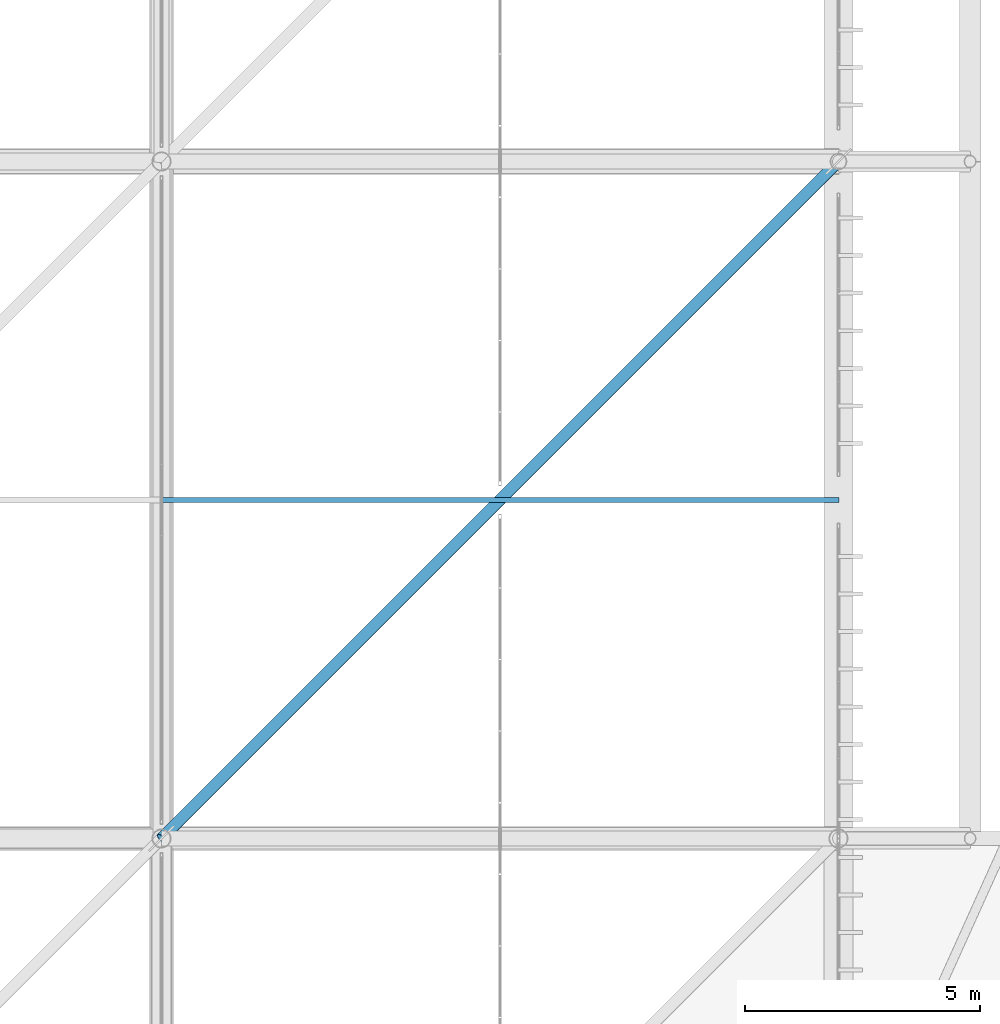
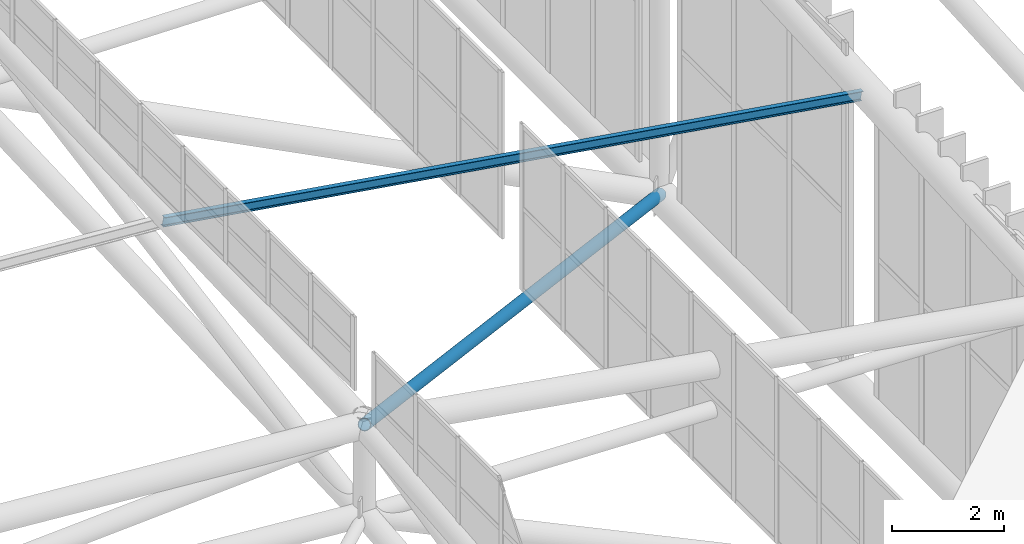
# One storey, part 160 of 397: 2 members.
"""IFC4 building model written with IfcOpenShell, lengths in metres."""

import ifcopenshell
import ifcopenshell.guid

model = None  # the IFC model being written
_history = None  # IfcOwnerHistory: only IFC2X3 demands one
_inside = {}  # id of a spatial element -> (the spatial element, [elements in it])
_under = {}  # id of a project, library or spatial element -> (it, [spatial elements below it])
_declared = {}  # id of a project -> (the project, [libraries it declares])
_typed = {}  # id of a type object -> (the type object, [elements of that type])
_made_of = {}  # id of a material, layer set ... -> (it, [elements and type objects made of it])


def new_model(schema):
    """Start an empty IFC model of exactly this schema.

    Asked for "IFC4X3", IfcOpenShell would pick the latest addendum, in which some entities
    have other attributes; the version numbers below select the first issue.
    IFC2X3 requires an IfcOwnerHistory on every rooted entity: one is made here for all.
    """
    global model, _history
    if schema == "IFC4X3":
        model = ifcopenshell.file(schema_version=(4, 3, 0, 0))
    else:
        model = ifcopenshell.file(schema=schema)
    _inside.clear()
    _under.clear()
    _declared.clear()
    _typed.clear()
    _made_of.clear()
    _history = None
    if model.schema == "IFC2X3":
        org = make("IfcOrganization", Name="unknown")
        user = make(
            "IfcPersonAndOrganization",
            ThePerson=make("IfcPerson", FamilyName="unknown"),
            TheOrganization=org,
        )
        app = make(
            "IfcApplication",
            ApplicationDeveloper=org,
            Version="unknown",
            ApplicationFullName="unknown",
            ApplicationIdentifier="unknown",
        )
        _history = make(
            "IfcOwnerHistory",
            OwningUser=user,
            OwningApplication=app,
            ChangeAction="ADDED",
            CreationDate=0,
        )
    return model


def make(cls, **values):
    """One entity of the class cls with the attributes given. An attribute that is None is left unset."""
    return model.create_entity(
        cls, **{name: value for name, value in values.items() if value is not None}
    )


def rooted(cls, **values):
    """An entity with a GlobalId (a new one), such as an element, a storey or a relation."""
    return make(cls, GlobalId=ifcopenshell.guid.new(), OwnerHistory=_history, **values)


def si_unit(unit_type, name, prefix=None):
    """IfcSIUnit, for example si_unit("LENGTHUNIT", "METRE", prefix="MILLI")."""
    return make("IfcSIUnit", UnitType=unit_type, Prefix=prefix, Name=name)


def assignment(units):
    """IfcUnitAssignment: the units of a project."""
    return None if units is None else make("IfcUnitAssignment", Units=units)


def point(xyz):
    """IfcCartesianPoint."""
    return None if xyz is None else make("IfcCartesianPoint", Coordinates=xyz)


def direction(xyz):
    """IfcDirection."""
    return None if xyz is None else make("IfcDirection", DirectionRatios=xyz)


def frame(location, z_axis=None, x_axis=None):
    """IfcAxis2Placement3D, a coordinate frame: its origin and axes. An axis left out is left unset."""
    return make(
        "IfcAxis2Placement3D",
        Location=point(location),
        Axis=direction(z_axis),
        RefDirection=direction(x_axis),
    )


def frame_2d(location, x_axis=None):
    """IfcAxis2Placement2D, a coordinate frame in the plane: its origin and x axis."""
    return make(
        "IfcAxis2Placement2D", Location=point(location), RefDirection=direction(x_axis)
    )


def origin():
    """The frame at (0, 0, 0) with its axes left unset."""
    return frame((0.0, 0.0, 0.0))


def origin_2d():
    """The frame at (0, 0) in the plane with its x axis left unset."""
    return frame_2d((0.0, 0.0))


def place(relative_to, where):
    """IfcLocalPlacement: puts the frame where relative to a parent placement (None: the world)."""
    return make(
        "IfcLocalPlacement", PlacementRelTo=relative_to, RelativePlacement=where
    )


def context(
    kind, dimensions, precision=None, world=None, true_north=None, identifier=None
):
    """IfcGeometricRepresentationContext, for example the 3D "Model" context."""
    return make(
        "IfcGeometricRepresentationContext",
        ContextIdentifier=identifier,
        ContextType=kind,
        CoordinateSpaceDimension=dimensions,
        Precision=precision,
        WorldCoordinateSystem=world,
        TrueNorth=true_north,
    )


def subcontext(parent, identifier, kind, view, scale=None):
    """IfcGeometricRepresentationSubContext, for example "Body" below "Model"."""
    return make(
        "IfcGeometricRepresentationSubContext",
        ContextIdentifier=identifier,
        ContextType=kind,
        ParentContext=parent,
        TargetScale=scale,
        TargetView=view,
    )


def project(units=None, contexts=None):
    """IfcProject with its units and contexts."""
    return rooted(
        "IfcProject",
        Name="project",
        RepresentationContexts=contexts,
        UnitsInContext=assignment(units),
    )


def spatial(cls, under=None, at=None, **own):
    """A site, building, storey or space (cls), placed at a placement, below another one or the project."""
    s = rooted(cls, ObjectPlacement=at, **own)
    if under is not None:
        _under.setdefault(under.id(), (under, []))[1].append(s)
    return s


def profile(cls, at=None, kind="AREA", **sizes):
    """A parametric profile (cls). Its sizes go by their IFC names, for example OverallWidth=200.0."""
    return make(cls, ProfileType=kind, Position=at, **sizes)


def hollow_circle(**sizes):
    """IfcCircleHollowProfileDef."""
    return profile("IfcCircleHollowProfileDef", **sizes)


def i_section(**sizes):
    """IfcIShapeProfileDef."""
    return profile("IfcIShapeProfileDef", **sizes)


def extrude(swept, where, along, depth):
    """IfcExtrudedAreaSolid: the profile swept, set in the frame where, extruded along a direction by depth."""
    return make(
        "IfcExtrudedAreaSolid",
        SweptArea=swept,
        Position=where,
        ExtrudedDirection=direction(along),
        Depth=depth,
    )


def shape(context_of_items, identifier, shape_type, items):
    """IfcShapeRepresentation: the items that make up one representation, for example the "Body"."""
    return make(
        "IfcShapeRepresentation",
        ContextOfItems=context_of_items,
        RepresentationIdentifier=identifier,
        RepresentationType=shape_type,
        Items=items,
    )


def material(Name=None, Category=None):
    """IfcMaterial."""
    return make("IfcMaterial", Name=Name, Category=Category)


def material_profile(
    of_material, cross_section, Name=None, Category=None, Priority=None
):
    """IfcMaterialProfile: a cross section and its material."""
    return make(
        "IfcMaterialProfile",
        Name=Name,
        Material=of_material,
        Profile=cross_section,
        Priority=Priority,
        Category=Category,
    )


def profile_set(profiles, Name=None, composite=None):
    """IfcMaterialProfileSet."""
    return make(
        "IfcMaterialProfileSet",
        Name=Name,
        MaterialProfiles=profiles,
        CompositeProfile=composite,
    )


def made_of(thing, what):
    """Note that an element or type object is made of a material, layer set ...; save() writes the relation."""
    if what is not None:
        _made_of.setdefault(what.id(), (what, []))[1].append(thing)
    return thing


def type_object(cls, material=None, **own):
    """A type object (cls), such as IfcWallType, which elements share."""
    return made_of(rooted(cls, **own), material)


def element(
    cls,
    number,
    at=None,
    inside=None,
    cuts=None,
    type_object=None,
    material=None,
    context=None,
    identifier="Body",
    shape_type=None,
    held_by="IfcProductDefinitionShape",
    body=None,
    shapes=None,
    **own,
):
    """One element of the class cls, such as IfcWall. Its Tag is "e" and its number.

    at: its placement. inside: the storey or other place that contains it. cuts: it is an
    opening in that element (IfcRelVoidsElement). A single representation is given by context,
    identifier, shape_type and body (its items); several are given by shapes. held_by: the class
    of the entity that holds the representations. save() writes the other relations.
    """
    e = rooted(cls, Tag="e%d" % number, ObjectPlacement=at, **own)
    if body is not None:
        shapes = [shape(context, identifier, shape_type, body)]
    if shapes is not None:
        e.Representation = make(held_by, Representations=shapes)
    if inside is not None:
        _inside.setdefault(inside.id(), (inside, []))[1].append(e)
    if cuts is not None:
        rooted(
            "IfcRelVoidsElement", RelatingBuildingElement=cuts, RelatedOpeningElement=e
        )
    if type_object is not None:
        _typed.setdefault(type_object.id(), (type_object, []))[1].append(e)
    return made_of(e, material)


def aggregate(whole, parts):
    """IfcRelAggregates: a whole, such as a stair, and the parts it consists of."""
    return rooted("IfcRelAggregates", RelatingObject=whole, RelatedObjects=parts)


def save(model, path):
    """Write the relations noted so far, then the file.

    IfcRelAggregates (storeys below a building ...), IfcRelContainedInSpatialStructure (elements
    in a storey), IfcRelDefinesByType, IfcRelAssociatesMaterial and IfcRelDeclares: one each for
    every whole, place, type object, material and project.
    """
    for whole, parts in _under.values():
        aggregate(whole, parts)
    for where, things in _inside.values():
        rooted(
            "IfcRelContainedInSpatialStructure",
            RelatedElements=things,
            RelatingStructure=where,
        )
    for kind, things in _typed.values():
        rooted("IfcRelDefinesByType", RelatedObjects=things, RelatingType=kind)
    for what, things in _made_of.values():
        rooted("IfcRelAssociatesMaterial", RelatedObjects=things, RelatingMaterial=what)
    for by, libraries in _declared.values():
        rooted("IfcRelDeclares", RelatingContext=by, RelatedDefinitions=libraries)
    model.write(path)


model = new_model("IFC4")

# Units and contexts
model_context = context("Model", 3, precision=1e-05, world=origin(), true_north=direction((0.0, 1.0)))
body_context = subcontext(model_context, "Body", "Model", "MODEL_VIEW")
ifc_project = project(units=[si_unit("LENGTHUNIT", "METRE"), si_unit("AREAUNIT", "SQUARE_METRE"), si_unit("VOLUMEUNIT", "CUBIC_METRE"), si_unit("PLANEANGLEUNIT", "RADIAN"), si_unit("MASSUNIT", "GRAM", prefix="KILO")], contexts=[model_context])

# Site, building, storey
site_placement = place(None, origin())
site = spatial("IfcSite", under=ifc_project, at=site_placement, CompositionType="ELEMENT")
building_placement = place(site_placement, origin())
building = spatial("IfcBuilding", under=site, at=building_placement, Name="Qandorah Velis Arena", CompositionType="ELEMENT")
storey_placement = place(building_placement, frame((0.0, 0.0, 27.5)))
storey = spatial("IfcBuildingStorey", under=building, at=storey_placement, Name="RF", CompositionType="ELEMENT", Elevation=27.5)

# Members
ifc_material = material(Name="Steel S355", Category="steel")
ifc_material_profile_1 = material_profile(ifc_material, i_section(OverallWidth=0.10009765625, OverallDepth=0.199951171875, WebThickness=0.005615234375, FlangeThickness=0.008544921875, FilletRadius=0.011962890625, at=origin_2d()), Name="IPE 200")
ifc_profile_set_1 = profile_set([ifc_material_profile_1], Name="Steel S355")
member_type_1 = type_object("IfcMemberType", Name="STR-PRL-IPE200", PredefinedType="PURLIN", material=ifc_profile_set_1)
member_1_placement = place(storey_placement, frame((100.800048828125, 50.39990234375, 8.92529296875), z_axis=(0.987633511946, 0.0, -0.156780247742), x_axis=(0.0, 1.0, 0.0)))
element("IfcMember", 1, at=member_1_placement, inside=storey, type_object=member_type_1, Name="Arena roof purlin PRL-6.2", PredefinedType="PURLIN", context=body_context, shape_type="SweptSolid", body=[
    extrude(i_section(OverallWidth=0.10009765625, OverallDepth=0.199951171875, WebThickness=0.005615234375, FlangeThickness=0.008544921875, FilletRadius=0.011962890625, at=origin_2d()), origin(), (0.0, 0.0, 1.0), 14.580322265625),
])
ifc_material_profile_2 = material_profile(ifc_material, hollow_circle(Radius=0.122314453125, WallThickness=0.012451171875, at=origin_2d()), Name="CHS 244.5x12.5")
ifc_profile_set_2 = profile_set([ifc_material_profile_2], Name="Steel S355")
member_type_2 = type_object("IfcMemberType", Name="STR-SFD-CHS244X12", PredefinedType="STRUT", material=ifc_profile_set_2)
member_2_placement = place(storey_placement, frame((115.199951171875, 57.60009765625, 0.10009765625), z_axis=(-0.649583102958, -0.649594116201, 0.395056042288), x_axis=(0.707112775369, -0.707100786953, 0.0)))
element("IfcMember", 2, at=member_2_placement, inside=storey, type_object=member_type_2, Name="Space frame roof spatial diagonal 6.2", PredefinedType="STRUT", context=body_context, shape_type="SweptSolid", body=[
    extrude(hollow_circle(Radius=0.122314453125, WallThickness=0.012451171875, at=origin_2d()), origin(), (0.0, 0.0, 1.0), 22.16796875),
])

save(model, "model.ifc")
